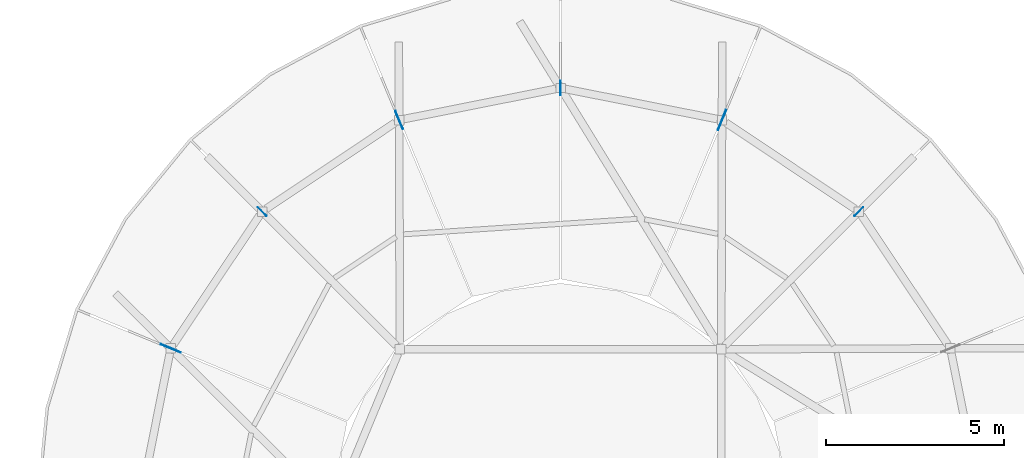
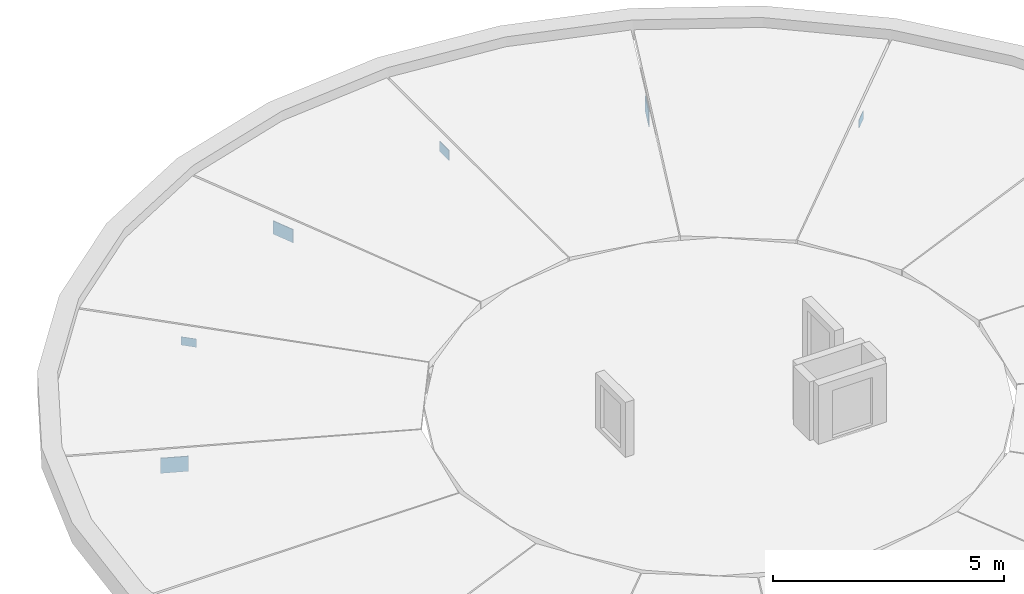
# One storey, part 14 of 30: 6 plates.
"""IFC4 building model written with IfcOpenShell, lengths in metres."""

from ifc_helpers import new_model, si_unit, direction, frame, origin, origin_2d, place, context, subcontext, project, spatial, rectangle, extrude, material, layer, layer_set, type_object, element, save


model = new_model("IFC4")

# Units and contexts
model_context = context("Model", 3, precision=1e-05, world=origin(), true_north=direction((0.0, 1.0)))
body_context = subcontext(model_context, "Body", "Model", "MODEL_VIEW")
ifc_project = project(units=[si_unit("LENGTHUNIT", "METRE"), si_unit("AREAUNIT", "SQUARE_METRE"), si_unit("VOLUMEUNIT", "CUBIC_METRE"), si_unit("PLANEANGLEUNIT", "RADIAN"), si_unit("MASSUNIT", "GRAM", prefix="KILO")], contexts=[model_context])

# Site, building, storey
site_placement = place(None, origin())
site = spatial("IfcSite", under=ifc_project, at=site_placement, CompositionType="ELEMENT")
building_placement = place(site_placement, origin())
building = spatial("IfcBuilding", under=site, at=building_placement, Name="Aldenvaro Health Centre", CompositionType="ELEMENT")
storey_placement = place(building_placement, frame((0.0, 0.0, 17.14990234375)))
storey = spatial("IfcBuildingStorey", under=building, at=storey_placement, Name="L04", CompositionType="ELEMENT", Elevation=17.14990234375)

# Plates
ifc_material = material(Name="Steel ASTM A572 Grade 50", Category="steel")
ifc_layer_1 = layer(ifc_material, 0.013916015625, Name="Steel ASTM A572 Grade 50", Category="steel")
ifc_layer_set_1 = layer_set([ifc_layer_1], Name="Steel ASTM A572 Grade 50")
plate_type_1 = type_object("IfcPlateType", Name="PLT-GUS-07", PredefinedType="SHEET", material=ifc_layer_set_1)
plate_1_placement = place(storey_placement, frame((154.5, 111.3798828125, 0.2431640625), z_axis=(0.0, 0.0, 1.0), x_axis=(0.0, 1.0, 0.0)))
element("IfcPlate", 1, at=plate_1_placement, inside=storey, type_object=plate_type_1, Name="D2 Rafter Eave Gusset 05", PredefinedType="SHEET", context=body_context, shape_type="SweptSolid", body=[
    extrude(rectangle(XDim=0.409912109375, YDim=0.013916015625, at=origin_2d()), origin(), (0.0, 0.0, 1.0), 0.260009765625),
])
ifc_layer_2 = layer(ifc_material, 0.01904296875, Name="Steel ASTM A572 Grade 50", Category="steel")
ifc_layer_set_2 = layer_set([ifc_layer_2], Name="Steel ASTM A572 Grade 50")
plate_type_2 = type_object("IfcPlateType", Name="PLT-GUS-08", PredefinedType="SHEET", material=ifc_layer_set_2)
plate_2_placement = place(storey_placement, frame((149.9541015625, 110.47607421875, 0.197998046875), z_axis=(0.0, 0.0, 1.0), x_axis=(-0.382654114316, 0.9238916759, 0.0)))
element("IfcPlate", 2, at=plate_2_placement, inside=storey, type_object=plate_type_2, Name="D2 Rafter Eave Gusset 06", PredefinedType="SHEET", context=body_context, shape_type="SweptSolid", body=[
    extrude(rectangle(XDim=0.550048828125, YDim=0.01904296875, at=origin_2d()), origin(), (0.0, 0.0, 1.0), 0.35009765625),
])
ifc_layer_3 = layer(ifc_material, 0.011962890625, Name="Steel ASTM A572 Grade 50", Category="steel")
ifc_layer_set_3 = layer_set([ifc_layer_3], Name="Steel ASTM A572 Grade 50")
plate_type_3 = type_object("IfcPlateType", Name="PLT-GUS-09", PredefinedType="SHEET", material=ifc_layer_set_3)
for number, where, z_axis, x_axis, name in (
    (3, (162.89990234375, 107.89990234375, 0.26318359375), (0.0, 0.0, 1.0), (0.707106781187, 0.707106781187, 0.0), "D2 Rafter Eave Gusset 03"),
    (4, (146.10009765625, 107.89990234375, 0.26318359375), (0.0, 0.0, 1.0), (-0.707106781187, 0.707106781187, 0.0), "D2 Rafter Eave Gusset 07"),
):
    element("IfcPlate", number, at=place(storey_placement, frame(where, z_axis=z_axis, x_axis=x_axis)), inside=storey, type_object=plate_type_3, Name=name, PredefinedType="SHEET", context=body_context, shape_type="SweptSolid", body=[
        extrude(rectangle(XDim=0.35009765625, YDim=0.011962890625, at=origin_2d()), origin(), (0.0, 0.0, 1.0), 0.219970703125),
    ])
ifc_layer_4 = layer(ifc_material, 0.02099609375, Name="Steel ASTM A572 Grade 50", Category="steel")
ifc_layer_set_4 = layer_set([ifc_layer_4], Name="Steel ASTM A572 Grade 50")
plate_type_4 = type_object("IfcPlateType", Name="PLT-GUS-10", PredefinedType="SHEET", material=ifc_layer_set_4)
for number, where, z_axis, x_axis, name in (
    (5, (159.0458984375, 110.47607421875, 0.173095703125), (0.0, 0.0, 1.0), (0.382654114316, 0.9238916759, 0.0), "D2 Rafter Eave Gusset 04"),
    (6, (143.52392578125, 104.0458984375, 0.173095703125), (0.0, 0.0, 1.0), (-0.9238916759, 0.382654114316, 0.0), "D2 Rafter Eave Gusset 08"),
):
    element("IfcPlate", number, at=place(storey_placement, frame(where, z_axis=z_axis, x_axis=x_axis)), inside=storey, type_object=plate_type_4, Name=name, PredefinedType="SHEET", context=body_context, shape_type="SweptSolid", body=[
        extrude(rectangle(XDim=0.610107421875, YDim=0.02099609375, at=origin_2d()), origin(), (0.0, 0.0, 1.0), 0.39990234375),
    ])

save(model, "model.ifc")
